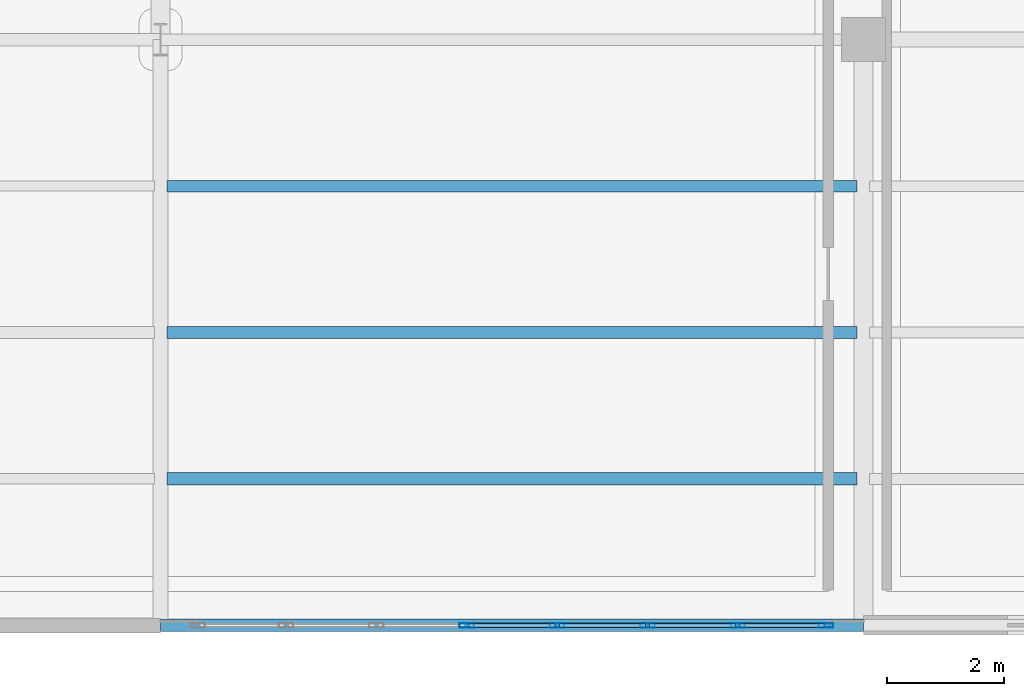
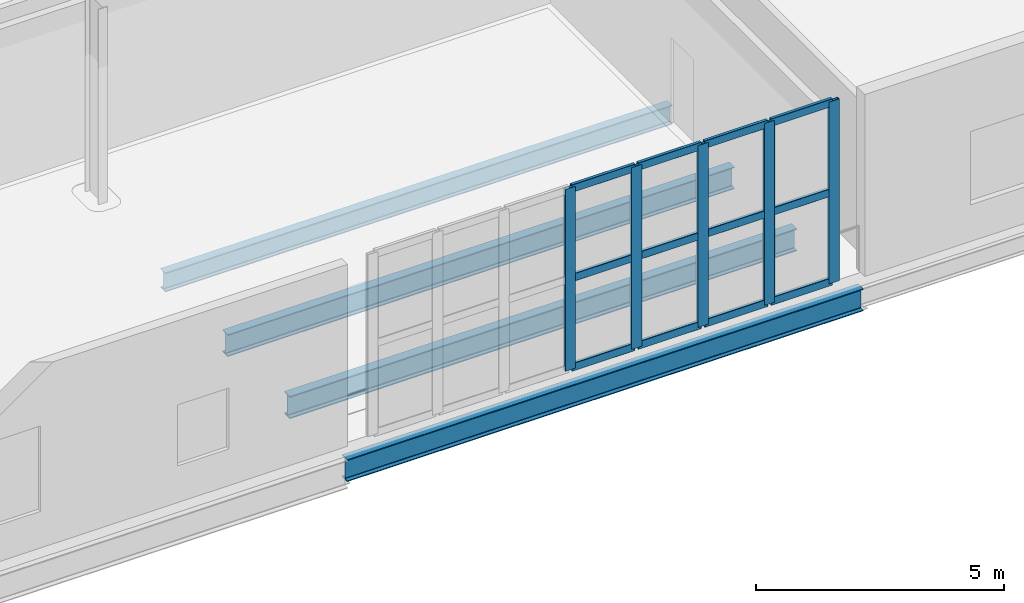
# One storey, part 19 of 136: 17 members, 4 beams, 1 element without a shape of its own.
"""IFC4 building model written with IfcOpenShell, lengths in metres."""

from ifc_helpers import new_model, si_unit, direction, frame, origin, origin_2d, place, context, subcontext, project, spatial, hollow_rectangle, i_section, extrude, material, layer, layer_set, material_profile, profile_set, type_object, element, aggregate, save


model = new_model("IFC4")

# Units and contexts
model_context = context("Model", 3, precision=1e-05, world=origin(), true_north=direction((0.0, 1.0)))
body_context = subcontext(model_context, "Body", "Model", "MODEL_VIEW")
ifc_project = project(units=[si_unit("LENGTHUNIT", "METRE"), si_unit("AREAUNIT", "SQUARE_METRE"), si_unit("VOLUMEUNIT", "CUBIC_METRE"), si_unit("PLANEANGLEUNIT", "RADIAN"), si_unit("MASSUNIT", "GRAM", prefix="KILO")], contexts=[model_context])

# Site, building, storey
site_placement = place(None, origin())
site = spatial("IfcSite", under=ifc_project, at=site_placement, CompositionType="ELEMENT")
building_placement = place(site_placement, origin())
building = spatial("IfcBuilding", under=site, at=building_placement, Name="Brinegate Civic Arena", CompositionType="ELEMENT")
storey_placement = place(building_placement, frame((0.0, 0.0, 5.39990234375)))
storey = spatial("IfcBuildingStorey", under=building, at=storey_placement, Name="L01", CompositionType="ELEMENT", Elevation=5.39990234375)

# Curtain wall, members
ifc_material_1 = material(Name="Marine grade aluminium", Category="aluminium")
ifc_layer = layer(ifc_material_1, 0.18505859375, Name="Marine grade aluminium")
ifc_layer_set = layer_set([ifc_layer], Name="Marine grade aluminium")
curtain_wall_type = type_object("IfcCurtainWallType", Name="CW-WING-GLAZED-03", PredefinedType="USERDEFINED", material=ifc_layer_set)
curtain_wall_placement = place(storey_placement, origin())
curtain_wall = element("IfcCurtainWall", 1, at=curtain_wall_placement, inside=storey, type_object=curtain_wall_type, Name="Curtain Wall CWA-014", ObjectType="GLAZED CURTAIN WALL", PredefinedType="USERDEFINED")
ifc_material_profile_1 = material_profile(ifc_material_1, hollow_rectangle(XDim=0.074951171875, YDim=0.25, WallThickness=0.006103515625, InnerFilletRadius=0.00390625, OuterFilletRadius=0.008056640625, at=origin_2d()), Name="MUL75X250")
ifc_profile_set_1 = profile_set([ifc_material_profile_1], Name="Marine grade aluminium")
member_type_1 = type_object("IfcMemberType", Name="CW-MULLION-75X250", PredefinedType="MULLION", material=ifc_profile_set_1)
member_1_placement = place(storey_placement, frame((17.228515625, 0.0, 0.0), z_axis=(0.0, 0.0, 1.0), x_axis=(0.0, 1.0, 0.0)))
member_1 = element("IfcMember", 2, at=member_1_placement, type_object=member_type_1, Name="CWA-014 mullion 4", PredefinedType="MULLION", context=body_context, shape_type="SweptSolid", body=[
    extrude(hollow_rectangle(XDim=0.074951171875, YDim=0.25, WallThickness=0.006103515625, InnerFilletRadius=0.00390625, OuterFilletRadius=0.008056640625, at=origin_2d()), origin(), (0.0, 0.0, 1.0), 4.47021484375),
])
member_2_placement = place(storey_placement, frame((18.771484375, 0.0, 0.0), z_axis=(0.0, 0.0, 1.0), x_axis=(0.0, 1.0, 0.0)))
member_2 = element("IfcMember", 3, at=member_2_placement, type_object=member_type_1, Name="CWA-014 mullion 5", PredefinedType="MULLION", context=body_context, shape_type="SweptSolid", body=[
    extrude(hollow_rectangle(XDim=0.074951171875, YDim=0.25, WallThickness=0.006103515625, InnerFilletRadius=0.00390625, OuterFilletRadius=0.008056640625, at=origin_2d()), origin(), (0.0, 0.0, 1.0), 4.47021484375),
])
member_3_placement = place(storey_placement, frame((20.314208984375, 0.0, 0.0), z_axis=(0.0, 0.0, 1.0), x_axis=(0.0, 1.0, 0.0)))
member_3 = element("IfcMember", 4, at=member_3_placement, type_object=member_type_1, Name="CWA-014 mullion 6", PredefinedType="MULLION", context=body_context, shape_type="SweptSolid", body=[
    extrude(hollow_rectangle(XDim=0.074951171875, YDim=0.25, WallThickness=0.006103515625, InnerFilletRadius=0.00390625, OuterFilletRadius=0.008056640625, at=origin_2d()), origin(), (0.0, 0.0, 1.0), 4.47021484375),
])
member_4_placement = place(storey_placement, frame((21.857177734375, 0.0, 0.0), z_axis=(0.0, 0.0, 1.0), x_axis=(0.0, 1.0, 0.0)))
member_4 = element("IfcMember", 5, at=member_4_placement, type_object=member_type_1, Name="CWA-014 mullion 7", PredefinedType="MULLION", context=body_context, shape_type="SweptSolid", body=[
    extrude(hollow_rectangle(XDim=0.074951171875, YDim=0.25, WallThickness=0.006103515625, InnerFilletRadius=0.00390625, OuterFilletRadius=0.008056640625, at=origin_2d()), origin(), (0.0, 0.0, 1.0), 4.47021484375),
])
member_5_placement = place(storey_placement, frame((23.362548828125, 0.0, 0.0), z_axis=(0.0, 0.0, 1.0), x_axis=(0.0, 1.0, 0.0)))
member_5 = element("IfcMember", 6, at=member_5_placement, type_object=member_type_1, Name="CWA-014 mullion 8", PredefinedType="MULLION", context=body_context, shape_type="SweptSolid", body=[
    extrude(hollow_rectangle(XDim=0.074951171875, YDim=0.25, WallThickness=0.006103515625, InnerFilletRadius=0.00390625, OuterFilletRadius=0.008056640625, at=origin_2d()), origin(), (0.0, 0.0, 1.0), 4.47021484375),
])
ifc_material_profile_2 = material_profile(ifc_material_1, hollow_rectangle(XDim=0.074951171875, YDim=0.18994140625, WallThickness=0.006103515625, InnerFilletRadius=0.00390625, OuterFilletRadius=0.008056640625, at=origin_2d()), Name="TRN75X190")
ifc_profile_set_2 = profile_set([ifc_material_profile_2], Name="Marine grade aluminium")
member_type_2 = type_object("IfcMemberType", Name="CW-TRANSOM-75X190", PredefinedType="USERDEFINED", material=ifc_profile_set_2)
member_6_placement = place(storey_placement, frame((17.26611328125, 0.0, 0.03759765625), z_axis=(1.0, 0.0, 0.0), x_axis=(0.0, 1.0, 0.0)))
member_6 = element("IfcMember", 7, at=member_6_placement, type_object=member_type_2, Name="CWA-014 transom 4.1", ObjectType="TRANSOM", PredefinedType="USERDEFINED", context=body_context, shape_type="SweptSolid", body=[
    extrude(hollow_rectangle(XDim=0.074951171875, YDim=0.18994140625, WallThickness=0.006103515625, InnerFilletRadius=0.00390625, OuterFilletRadius=0.008056640625, at=origin_2d()), origin(), (0.0, 0.0, 1.0), 1.4677734375),
])
member_7_placement = place(storey_placement, frame((17.26611328125, 0.0, 2.235107421875), z_axis=(1.0, 0.0, 0.0), x_axis=(0.0, 1.0, 0.0)))
member_7 = element("IfcMember", 8, at=member_7_placement, type_object=member_type_2, Name="CWA-014 transom 4.2", ObjectType="TRANSOM", PredefinedType="USERDEFINED", context=body_context, shape_type="SweptSolid", body=[
    extrude(hollow_rectangle(XDim=0.074951171875, YDim=0.18994140625, WallThickness=0.006103515625, InnerFilletRadius=0.00390625, OuterFilletRadius=0.008056640625, at=origin_2d()), origin(), (0.0, 0.0, 1.0), 1.4677734375),
])
member_8_placement = place(storey_placement, frame((17.26611328125, 0.0, 4.4326171875), z_axis=(1.0, 0.0, 0.0), x_axis=(0.0, 1.0, 0.0)))
member_8 = element("IfcMember", 9, at=member_8_placement, type_object=member_type_2, Name="CWA-014 transom 4.3", ObjectType="TRANSOM", PredefinedType="USERDEFINED", context=body_context, shape_type="SweptSolid", body=[
    extrude(hollow_rectangle(XDim=0.074951171875, YDim=0.18994140625, WallThickness=0.006103515625, InnerFilletRadius=0.00390625, OuterFilletRadius=0.008056640625, at=origin_2d()), origin(), (0.0, 0.0, 1.0), 1.4677734375),
])
member_9_placement = place(storey_placement, frame((18.808837890625, 0.0, 0.03759765625), z_axis=(1.0, 0.0, 0.0), x_axis=(0.0, 1.0, 0.0)))
member_9 = element("IfcMember", 10, at=member_9_placement, type_object=member_type_2, Name="CWA-014 transom 5.1", ObjectType="TRANSOM", PredefinedType="USERDEFINED", context=body_context, shape_type="SweptSolid", body=[
    extrude(hollow_rectangle(XDim=0.074951171875, YDim=0.18994140625, WallThickness=0.006103515625, InnerFilletRadius=0.00390625, OuterFilletRadius=0.008056640625, at=origin_2d()), origin(), (0.0, 0.0, 1.0), 1.468017578125),
])
member_10_placement = place(storey_placement, frame((18.808837890625, 0.0, 2.235107421875), z_axis=(1.0, 0.0, 0.0), x_axis=(0.0, 1.0, 0.0)))
member_10 = element("IfcMember", 11, at=member_10_placement, type_object=member_type_2, Name="CWA-014 transom 5.2", ObjectType="TRANSOM", PredefinedType="USERDEFINED", context=body_context, shape_type="SweptSolid", body=[
    extrude(hollow_rectangle(XDim=0.074951171875, YDim=0.18994140625, WallThickness=0.006103515625, InnerFilletRadius=0.00390625, OuterFilletRadius=0.008056640625, at=origin_2d()), origin(), (0.0, 0.0, 1.0), 1.468017578125),
])
member_11_placement = place(storey_placement, frame((18.808837890625, 0.0, 4.4326171875), z_axis=(1.0, 0.0, 0.0), x_axis=(0.0, 1.0, 0.0)))
member_11 = element("IfcMember", 12, at=member_11_placement, type_object=member_type_2, Name="CWA-014 transom 5.3", ObjectType="TRANSOM", PredefinedType="USERDEFINED", context=body_context, shape_type="SweptSolid", body=[
    extrude(hollow_rectangle(XDim=0.074951171875, YDim=0.18994140625, WallThickness=0.006103515625, InnerFilletRadius=0.00390625, OuterFilletRadius=0.008056640625, at=origin_2d()), origin(), (0.0, 0.0, 1.0), 1.468017578125),
])
member_12_placement = place(storey_placement, frame((20.351806640625, 0.0, 0.03759765625), z_axis=(1.0, 0.0, 0.0), x_axis=(0.0, 1.0, 0.0)))
member_12 = element("IfcMember", 13, at=member_12_placement, type_object=member_type_2, Name="CWA-014 transom 6.1", ObjectType="TRANSOM", PredefinedType="USERDEFINED", context=body_context, shape_type="SweptSolid", body=[
    extrude(hollow_rectangle(XDim=0.074951171875, YDim=0.18994140625, WallThickness=0.006103515625, InnerFilletRadius=0.00390625, OuterFilletRadius=0.008056640625, at=origin_2d()), origin(), (0.0, 0.0, 1.0), 1.4677734375),
])
member_13_placement = place(storey_placement, frame((20.351806640625, 0.0, 2.235107421875), z_axis=(1.0, 0.0, 0.0), x_axis=(0.0, 1.0, 0.0)))
member_13 = element("IfcMember", 14, at=member_13_placement, type_object=member_type_2, Name="CWA-014 transom 6.2", ObjectType="TRANSOM", PredefinedType="USERDEFINED", context=body_context, shape_type="SweptSolid", body=[
    extrude(hollow_rectangle(XDim=0.074951171875, YDim=0.18994140625, WallThickness=0.006103515625, InnerFilletRadius=0.00390625, OuterFilletRadius=0.008056640625, at=origin_2d()), origin(), (0.0, 0.0, 1.0), 1.4677734375),
])
member_14_placement = place(storey_placement, frame((20.351806640625, 0.0, 4.4326171875), z_axis=(1.0, 0.0, 0.0), x_axis=(0.0, 1.0, 0.0)))
member_14 = element("IfcMember", 15, at=member_14_placement, type_object=member_type_2, Name="CWA-014 transom 6.3", ObjectType="TRANSOM", PredefinedType="USERDEFINED", context=body_context, shape_type="SweptSolid", body=[
    extrude(hollow_rectangle(XDim=0.074951171875, YDim=0.18994140625, WallThickness=0.006103515625, InnerFilletRadius=0.00390625, OuterFilletRadius=0.008056640625, at=origin_2d()), origin(), (0.0, 0.0, 1.0), 1.4677734375),
])
member_15_placement = place(storey_placement, frame((21.89453125, 0.0, 0.03759765625), z_axis=(1.0, 0.0, 0.0), x_axis=(0.0, 1.0, 0.0)))
member_15 = element("IfcMember", 16, at=member_15_placement, type_object=member_type_2, Name="CWA-014 transom 7.1", ObjectType="TRANSOM", PredefinedType="USERDEFINED", context=body_context, shape_type="SweptSolid", body=[
    extrude(hollow_rectangle(XDim=0.074951171875, YDim=0.18994140625, WallThickness=0.006103515625, InnerFilletRadius=0.00390625, OuterFilletRadius=0.008056640625, at=origin_2d()), origin(), (0.0, 0.0, 1.0), 1.430419921875),
])
member_16_placement = place(storey_placement, frame((21.89453125, 0.0, 2.235107421875), z_axis=(1.0, 0.0, 0.0), x_axis=(0.0, 1.0, 0.0)))
member_16 = element("IfcMember", 17, at=member_16_placement, type_object=member_type_2, Name="CWA-014 transom 7.2", ObjectType="TRANSOM", PredefinedType="USERDEFINED", context=body_context, shape_type="SweptSolid", body=[
    extrude(hollow_rectangle(XDim=0.074951171875, YDim=0.18994140625, WallThickness=0.006103515625, InnerFilletRadius=0.00390625, OuterFilletRadius=0.008056640625, at=origin_2d()), origin(), (0.0, 0.0, 1.0), 1.430419921875),
])
member_17_placement = place(storey_placement, frame((21.89453125, 0.0, 4.4326171875), z_axis=(1.0, 0.0, 0.0), x_axis=(0.0, 1.0, 0.0)))
member_17 = element("IfcMember", 18, at=member_17_placement, type_object=member_type_2, Name="CWA-014 transom 7.3", ObjectType="TRANSOM", PredefinedType="USERDEFINED", context=body_context, shape_type="SweptSolid", body=[
    extrude(hollow_rectangle(XDim=0.074951171875, YDim=0.18994140625, WallThickness=0.006103515625, InnerFilletRadius=0.00390625, OuterFilletRadius=0.008056640625, at=origin_2d()), origin(), (0.0, 0.0, 1.0), 1.430419921875),
])
aggregate(curtain_wall, [member_1, member_2, member_3, member_4, member_5, member_6, member_7, member_8, member_9, member_10, member_11, member_12, member_13, member_14, member_15, member_16, member_17])

# Beams
ifc_material_2 = material(Name="Steel S355", Category="steel")
ifc_material_profile_3 = material_profile(ifc_material_2, i_section(OverallWidth=0.195068359375, OverallDepth=0.472900390625, WebThickness=0.011962890625, FlangeThickness=0.02197265625, FilletRadius=0.014892578125, at=origin_2d()), Name="W460X113")
ifc_profile_set_3 = profile_set([ifc_material_profile_3], Name="Steel S355")
beam_type_1 = type_object("IfcBeamType", Name="JOIST-W460X113", PredefinedType="JOIST", material=ifc_profile_set_3)
beam_1_placement = place(storey_placement, frame((12.10595703125, 7.5, -0.575927734375), z_axis=(1.0, 0.0, 0.0), x_axis=(0.0, 1.0, 0.0)))
element("IfcBeam", 19, at=beam_1_placement, inside=storey, type_object=beam_type_1, Name="Secondary Joist BM-L01-JX-01-00-3", PredefinedType="JOIST", context=body_context, shape_type="SweptSolid", body=[
    extrude(i_section(OverallWidth=0.195068359375, OverallDepth=0.472900390625, WebThickness=0.011962890625, FlangeThickness=0.02197265625, FilletRadius=0.014892578125, at=origin_2d()), origin(), (0.0, 0.0, 1.0), 11.7880859375),
])
ifc_material_profile_4 = material_profile(ifc_material_2, i_section(OverallWidth=0.2109375, OverallDepth=0.5390625, WebThickness=0.011962890625, FlangeThickness=0.01904296875, FilletRadius=0.01611328125, at=origin_2d()), Name="W530X109")
ifc_profile_set_4 = profile_set([ifc_material_profile_4], Name="Steel S355")
beam_type_2 = type_object("IfcBeamType", Name="JOIST-W530X109", PredefinedType="JOIST", material=ifc_profile_set_4)
beam_2_placement = place(storey_placement, frame((12.10595703125, 5.0, -0.60888671875), z_axis=(1.0, 0.0, 0.0), x_axis=(0.0, 1.0, 0.0)))
element("IfcBeam", 20, at=beam_2_placement, inside=storey, type_object=beam_type_2, Name="Secondary Joist BM-L01-JX-01-00-2", PredefinedType="JOIST", context=body_context, shape_type="SweptSolid", body=[
    extrude(i_section(OverallWidth=0.2109375, OverallDepth=0.5390625, WebThickness=0.011962890625, FlangeThickness=0.01904296875, FilletRadius=0.01611328125, at=origin_2d()), origin(), (0.0, 0.0, 1.0), 11.7880859375),
])
ifc_material_profile_5 = material_profile(ifc_material_2, i_section(OverallWidth=0.214111328125, OverallDepth=0.549072265625, WebThickness=0.014892578125, FlangeThickness=0.02392578125, FilletRadius=0.01611328125, at=origin_2d()), Name="W530X138")
ifc_profile_set_5 = profile_set([ifc_material_profile_5], Name="Steel S355")
beam_type_3 = type_object("IfcBeamType", Name="JOIST-W530X138", PredefinedType="JOIST", material=ifc_profile_set_5)
beam_3_placement = place(storey_placement, frame((12.10595703125, 2.5, -0.614013671875), z_axis=(1.0, 0.0, 0.0), x_axis=(0.0, 1.0, 0.0)))
element("IfcBeam", 21, at=beam_3_placement, inside=storey, type_object=beam_type_3, Name="Secondary Joist BM-L01-JX-01-00-1", PredefinedType="JOIST", context=body_context, shape_type="SweptSolid", body=[
    extrude(i_section(OverallWidth=0.214111328125, OverallDepth=0.549072265625, WebThickness=0.014892578125, FlangeThickness=0.02392578125, FilletRadius=0.01611328125, at=origin_2d()), origin(), (0.0, 0.0, 1.0), 11.7880859375),
])
ifc_material_profile_6 = material_profile(ifc_material_2, i_section(OverallWidth=0.2119140625, OverallDepth=0.5439453125, WebThickness=0.012939453125, FlangeThickness=0.02099609375, FilletRadius=0.01611328125, at=origin_2d()), Name="W530X123")
ifc_profile_set_6 = profile_set([ifc_material_profile_6], Name="Steel S355")
beam_type_4 = type_object("IfcBeamType", Name="SPANDREL-W530X123", PredefinedType="SPANDREL", material=ifc_profile_set_6)
beam_4_placement = place(storey_placement, frame((12.0, 0.0, -0.61181640625), z_axis=(1.0, 0.0, 0.0), x_axis=(0.0, 1.0, 0.0)))
element("IfcBeam", 22, at=beam_4_placement, inside=storey, type_object=beam_type_4, Name="Floor Girder BM-L01-GX-01-00", PredefinedType="SPANDREL", context=body_context, shape_type="SweptSolid", body=[
    extrude(i_section(OverallWidth=0.2119140625, OverallDepth=0.5439453125, WebThickness=0.012939453125, FlangeThickness=0.02099609375, FilletRadius=0.01611328125, at=origin_2d()), origin(), (0.0, 0.0, 1.0), 12.0),
])

save(model, "model.ifc")
